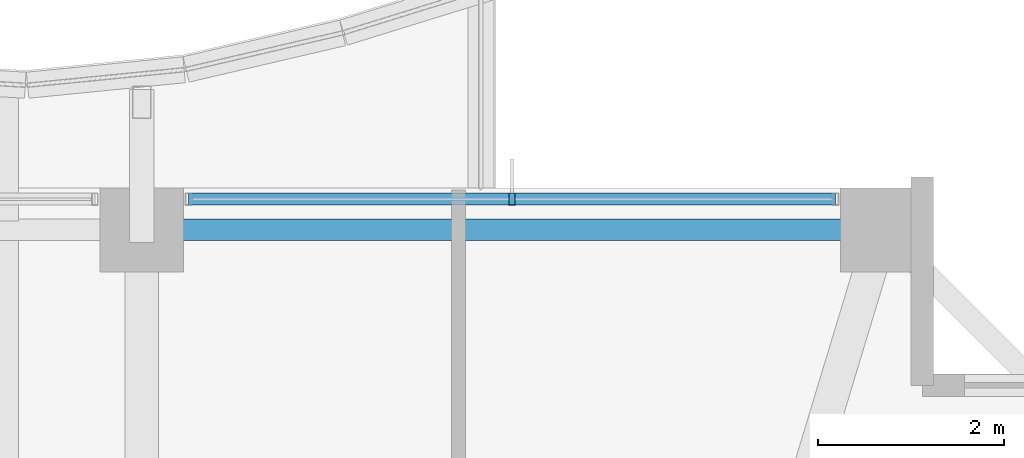
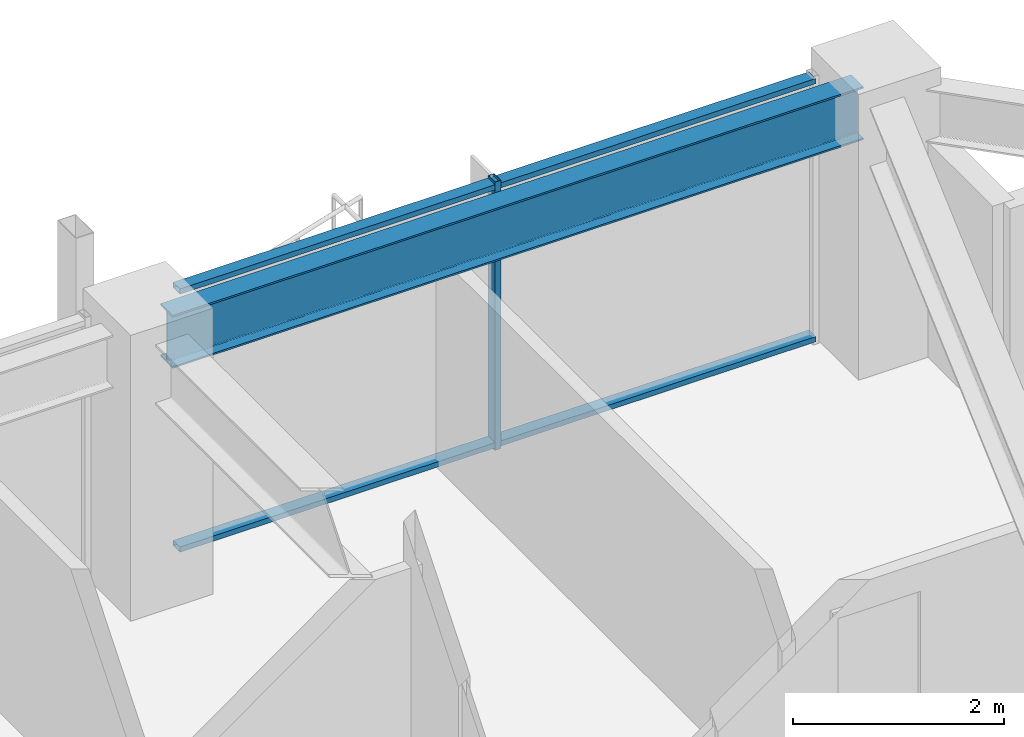
# One storey, part 19 of 32: 3 members, 1 beam, 1 element without a shape of its own.
"""IFC4 building model written with IfcOpenShell, lengths in metres."""

import ifcopenshell
import ifcopenshell.guid

model = None  # the IFC model being written
_history = None  # IfcOwnerHistory: only IFC2X3 demands one
_inside = {}  # id of a spatial element -> (the spatial element, [elements in it])
_under = {}  # id of a project, library or spatial element -> (it, [spatial elements below it])
_declared = {}  # id of a project -> (the project, [libraries it declares])
_typed = {}  # id of a type object -> (the type object, [elements of that type])
_made_of = {}  # id of a material, layer set ... -> (it, [elements and type objects made of it])


def new_model(schema):
    """Start an empty IFC model of exactly this schema.

    Asked for "IFC4X3", IfcOpenShell would pick the latest addendum, in which some entities
    have other attributes; the version numbers below select the first issue.
    IFC2X3 requires an IfcOwnerHistory on every rooted entity: one is made here for all.
    """
    global model, _history
    if schema == "IFC4X3":
        model = ifcopenshell.file(schema_version=(4, 3, 0, 0))
    else:
        model = ifcopenshell.file(schema=schema)
    _inside.clear()
    _under.clear()
    _declared.clear()
    _typed.clear()
    _made_of.clear()
    _history = None
    if model.schema == "IFC2X3":
        org = make("IfcOrganization", Name="unknown")
        user = make(
            "IfcPersonAndOrganization",
            ThePerson=make("IfcPerson", FamilyName="unknown"),
            TheOrganization=org,
        )
        app = make(
            "IfcApplication",
            ApplicationDeveloper=org,
            Version="unknown",
            ApplicationFullName="unknown",
            ApplicationIdentifier="unknown",
        )
        _history = make(
            "IfcOwnerHistory",
            OwningUser=user,
            OwningApplication=app,
            ChangeAction="ADDED",
            CreationDate=0,
        )
    return model


def make(cls, **values):
    """One entity of the class cls with the attributes given. An attribute that is None is left unset."""
    return model.create_entity(
        cls, **{name: value for name, value in values.items() if value is not None}
    )


def rooted(cls, **values):
    """An entity with a GlobalId (a new one), such as an element, a storey or a relation."""
    return make(cls, GlobalId=ifcopenshell.guid.new(), OwnerHistory=_history, **values)


def si_unit(unit_type, name, prefix=None):
    """IfcSIUnit, for example si_unit("LENGTHUNIT", "METRE", prefix="MILLI")."""
    return make("IfcSIUnit", UnitType=unit_type, Prefix=prefix, Name=name)


def assignment(units):
    """IfcUnitAssignment: the units of a project."""
    return None if units is None else make("IfcUnitAssignment", Units=units)


def point(xyz):
    """IfcCartesianPoint."""
    return None if xyz is None else make("IfcCartesianPoint", Coordinates=xyz)


def direction(xyz):
    """IfcDirection."""
    return None if xyz is None else make("IfcDirection", DirectionRatios=xyz)


def frame(location, z_axis=None, x_axis=None):
    """IfcAxis2Placement3D, a coordinate frame: its origin and axes. An axis left out is left unset."""
    return make(
        "IfcAxis2Placement3D",
        Location=point(location),
        Axis=direction(z_axis),
        RefDirection=direction(x_axis),
    )


def frame_2d(location, x_axis=None):
    """IfcAxis2Placement2D, a coordinate frame in the plane: its origin and x axis."""
    return make(
        "IfcAxis2Placement2D", Location=point(location), RefDirection=direction(x_axis)
    )


def origin():
    """The frame at (0, 0, 0) with its axes left unset."""
    return frame((0.0, 0.0, 0.0))


def origin_2d():
    """The frame at (0, 0) in the plane with its x axis left unset."""
    return frame_2d((0.0, 0.0))


def place(relative_to, where):
    """IfcLocalPlacement: puts the frame where relative to a parent placement (None: the world)."""
    return make(
        "IfcLocalPlacement", PlacementRelTo=relative_to, RelativePlacement=where
    )


def context(
    kind, dimensions, precision=None, world=None, true_north=None, identifier=None
):
    """IfcGeometricRepresentationContext, for example the 3D "Model" context."""
    return make(
        "IfcGeometricRepresentationContext",
        ContextIdentifier=identifier,
        ContextType=kind,
        CoordinateSpaceDimension=dimensions,
        Precision=precision,
        WorldCoordinateSystem=world,
        TrueNorth=true_north,
    )


def subcontext(parent, identifier, kind, view, scale=None):
    """IfcGeometricRepresentationSubContext, for example "Body" below "Model"."""
    return make(
        "IfcGeometricRepresentationSubContext",
        ContextIdentifier=identifier,
        ContextType=kind,
        ParentContext=parent,
        TargetScale=scale,
        TargetView=view,
    )


def project(units=None, contexts=None):
    """IfcProject with its units and contexts."""
    return rooted(
        "IfcProject",
        Name="project",
        RepresentationContexts=contexts,
        UnitsInContext=assignment(units),
    )


def spatial(cls, under=None, at=None, **own):
    """A site, building, storey or space (cls), placed at a placement, below another one or the project."""
    s = rooted(cls, ObjectPlacement=at, **own)
    if under is not None:
        _under.setdefault(under.id(), (under, []))[1].append(s)
    return s


def profile(cls, at=None, kind="AREA", **sizes):
    """A parametric profile (cls). Its sizes go by their IFC names, for example OverallWidth=200.0."""
    return make(cls, ProfileType=kind, Position=at, **sizes)


def hollow_rectangle(**sizes):
    """IfcRectangleHollowProfileDef."""
    return profile("IfcRectangleHollowProfileDef", **sizes)


def i_section(**sizes):
    """IfcIShapeProfileDef."""
    return profile("IfcIShapeProfileDef", **sizes)


def extrude(swept, where, along, depth):
    """IfcExtrudedAreaSolid: the profile swept, set in the frame where, extruded along a direction by depth."""
    return make(
        "IfcExtrudedAreaSolid",
        SweptArea=swept,
        Position=where,
        ExtrudedDirection=direction(along),
        Depth=depth,
    )


def shape(context_of_items, identifier, shape_type, items):
    """IfcShapeRepresentation: the items that make up one representation, for example the "Body"."""
    return make(
        "IfcShapeRepresentation",
        ContextOfItems=context_of_items,
        RepresentationIdentifier=identifier,
        RepresentationType=shape_type,
        Items=items,
    )


def material(Name=None, Category=None):
    """IfcMaterial."""
    return make("IfcMaterial", Name=Name, Category=Category)


def material_profile(
    of_material, cross_section, Name=None, Category=None, Priority=None
):
    """IfcMaterialProfile: a cross section and its material."""
    return make(
        "IfcMaterialProfile",
        Name=Name,
        Material=of_material,
        Profile=cross_section,
        Priority=Priority,
        Category=Category,
    )


def profile_set(profiles, Name=None, composite=None):
    """IfcMaterialProfileSet."""
    return make(
        "IfcMaterialProfileSet",
        Name=Name,
        MaterialProfiles=profiles,
        CompositeProfile=composite,
    )


def made_of(thing, what):
    """Note that an element or type object is made of a material, layer set ...; save() writes the relation."""
    if what is not None:
        _made_of.setdefault(what.id(), (what, []))[1].append(thing)
    return thing


def type_object(cls, material=None, **own):
    """A type object (cls), such as IfcWallType, which elements share."""
    return made_of(rooted(cls, **own), material)


def element(
    cls,
    number,
    at=None,
    inside=None,
    cuts=None,
    type_object=None,
    material=None,
    context=None,
    identifier="Body",
    shape_type=None,
    held_by="IfcProductDefinitionShape",
    body=None,
    shapes=None,
    **own,
):
    """One element of the class cls, such as IfcWall. Its Tag is "e" and its number.

    at: its placement. inside: the storey or other place that contains it. cuts: it is an
    opening in that element (IfcRelVoidsElement). A single representation is given by context,
    identifier, shape_type and body (its items); several are given by shapes. held_by: the class
    of the entity that holds the representations. save() writes the other relations.
    """
    e = rooted(cls, Tag="e%d" % number, ObjectPlacement=at, **own)
    if body is not None:
        shapes = [shape(context, identifier, shape_type, body)]
    if shapes is not None:
        e.Representation = make(held_by, Representations=shapes)
    if inside is not None:
        _inside.setdefault(inside.id(), (inside, []))[1].append(e)
    if cuts is not None:
        rooted(
            "IfcRelVoidsElement", RelatingBuildingElement=cuts, RelatedOpeningElement=e
        )
    if type_object is not None:
        _typed.setdefault(type_object.id(), (type_object, []))[1].append(e)
    return made_of(e, material)


def aggregate(whole, parts):
    """IfcRelAggregates: a whole, such as a stair, and the parts it consists of."""
    return rooted("IfcRelAggregates", RelatingObject=whole, RelatedObjects=parts)


def save(model, path):
    """Write the relations noted so far, then the file.

    IfcRelAggregates (storeys below a building ...), IfcRelContainedInSpatialStructure (elements
    in a storey), IfcRelDefinesByType, IfcRelAssociatesMaterial and IfcRelDeclares: one each for
    every whole, place, type object, material and project.
    """
    for whole, parts in _under.values():
        aggregate(whole, parts)
    for where, things in _inside.values():
        rooted(
            "IfcRelContainedInSpatialStructure",
            RelatedElements=things,
            RelatingStructure=where,
        )
    for kind, things in _typed.values():
        rooted("IfcRelDefinesByType", RelatedObjects=things, RelatingType=kind)
    for what, things in _made_of.values():
        rooted("IfcRelAssociatesMaterial", RelatedObjects=things, RelatingMaterial=what)
    for by, libraries in _declared.values():
        rooted("IfcRelDeclares", RelatingContext=by, RelatedDefinitions=libraries)
    model.write(path)


model = new_model("IFC4")

# Units and contexts
model_context = context("Model", 3, precision=1e-05, world=origin(), true_north=direction((0.0, 1.0)))
body_context = subcontext(model_context, "Body", "Model", "MODEL_VIEW")
ifc_project = project(units=[si_unit("LENGTHUNIT", "METRE"), si_unit("AREAUNIT", "SQUARE_METRE"), si_unit("VOLUMEUNIT", "CUBIC_METRE"), si_unit("PLANEANGLEUNIT", "RADIAN"), si_unit("MASSUNIT", "GRAM", prefix="KILO")], contexts=[model_context])

# Site, building, storey
site_placement = place(None, origin())
site = spatial("IfcSite", under=ifc_project, at=site_placement, CompositionType="ELEMENT")
building_placement = place(site_placement, origin())
building = spatial("IfcBuilding", under=site, at=building_placement, Name="Kolvaren Belvedere", CompositionType="ELEMENT")
storey_placement = place(building_placement, frame((0.0, 0.0, 160.199951171875)))
storey = spatial("IfcBuildingStorey", under=building, at=storey_placement, Name="L46", CompositionType="ELEMENT", Elevation=160.199951171875)

# Beam
ifc_material_1 = material(Name="Structural steel ASTM A992 Grade 50", Category="steel")
ifc_material_profile_1 = material_profile(ifc_material_1, i_section(OverallWidth=0.22900390625, OverallDepth=0.612060546875, WebThickness=0.011962890625, FlangeThickness=0.01953125, FilletRadius=0.01806640625, at=origin_2d()), Name="W24X84")
ifc_profile_set_1 = profile_set([ifc_material_profile_1], Name="Structural steel ASTM A992 Grade 50")
beam_type = type_object("IfcBeamType", Name="BM-SPAN-W24X84", PredefinedType="SPANDREL", material=ifc_profile_set_1)
beam_placement = place(storey_placement, frame((12.347412109375, 18.64990234375, 2.7939453125), z_axis=(-1.0, 0.0, 0.0), x_axis=(0.0, -1.0, 0.0)))
element("IfcBeam", 1, at=beam_placement, inside=storey, type_object=beam_type, Name="L46 Perimeter Spandrel N4-N3", PredefinedType="SPANDREL", context=body_context, shape_type="SweptSolid", body=[
    extrude(i_section(OverallWidth=0.22900390625, OverallDepth=0.612060546875, WebThickness=0.011962890625, FlangeThickness=0.01953125, FilletRadius=0.01806640625, at=origin_2d()), origin(), (0.0, 0.0, 1.0), 7.544921875),
])

# Curtain wall, members
ifc_material_2 = material(Name="Anodised pale-metal aluminium AA 6063-T6", Category="aluminium")
curtain_wall_type = type_object("IfcCurtainWallType", Name="CW-Z3-WAIST", PredefinedType="NOTDEFINED", material=ifc_material_2)
curtain_wall_placement = place(storey_placement, origin())
curtain_wall = element("IfcCurtainWall", 2, at=curtain_wall_placement, inside=storey, type_object=curtain_wall_type, Name="L46 Unitised Curtain Wall FCW-L46-N2-B2", PredefinedType="NOTDEFINED")
ifc_material_3 = material(Name="Anodised pale-metal aluminium AA 6063-T6", Category="aluminium")
ifc_material_profile_2 = material_profile(ifc_material_3, hollow_rectangle(XDim=0.06494140625, YDim=0.1298828125, WallThickness=0.00390625, at=origin_2d()), Name="ALU-MUL-130X65")
ifc_profile_set_2 = profile_set([ifc_material_profile_2], Name="Anodised pale-metal aluminium AA 6063-T6")
member_type_1 = type_object("IfcMemberType", Name="CW-MUL-130", PredefinedType="MULLION", material=ifc_profile_set_2)
member_1_placement = place(storey_placement, frame((8.574951171875, 18.97998046875, 0.0), z_axis=(0.0, 0.0, 1.0), x_axis=(1.0, 0.0, 0.0)))
member_1 = element("IfcMember", 3, at=member_1_placement, type_object=member_type_1, Name="FCW-L46-N2-B2 Unitised Mullion 2", PredefinedType="MULLION", context=body_context, shape_type="SweptSolid", body=[
    extrude(hollow_rectangle(XDim=0.06494140625, YDim=0.1298828125, WallThickness=0.00390625, at=origin_2d()), origin(), (0.0, 0.0, 1.0), 3.10009765625),
])
ifc_material_4 = material(Name="Anodised pale-metal aluminium AA 6063-T6", Category="aluminium")
ifc_material_profile_3 = material_profile(ifc_material_4, hollow_rectangle(XDim=0.06005859375, YDim=0.1298828125, WallThickness=0.00390625, at=origin_2d()), Name="ALU-TRN-130X60")
ifc_profile_set_3 = profile_set([ifc_material_profile_3], Name="Anodised pale-metal aluminium AA 6063-T6")
member_type_2 = type_object("IfcMemberType", Name="CW-TRN-130", PredefinedType="USERDEFINED", material=ifc_profile_set_3)
member_2_placement = place(storey_placement, frame((5.1025390625, 18.97998046875, 0.06005859375), z_axis=(1.0, 0.0, 0.0), x_axis=(0.0, 0.0, 1.0)))
member_2 = element("IfcMember", 4, at=member_2_placement, type_object=member_type_2, Name="FCW-L46-N2-B2 Sill Transom", ObjectType="TRANSOM", PredefinedType="USERDEFINED", context=body_context, shape_type="SweptSolid", body=[
    extrude(hollow_rectangle(XDim=0.06005859375, YDim=0.1298828125, WallThickness=0.00390625, at=origin_2d()), origin(), (0.0, 0.0, 1.0), 6.945068359375),
])
member_3_placement = place(storey_placement, frame((5.1025390625, 18.97998046875, 3.0400390625), z_axis=(1.0, 0.0, 0.0), x_axis=(0.0, 0.0, 1.0)))
member_3 = element("IfcMember", 5, at=member_3_placement, type_object=member_type_2, Name="FCW-L46-N2-B2 Head Transom", ObjectType="TRANSOM", PredefinedType="USERDEFINED", context=body_context, shape_type="SweptSolid", body=[
    extrude(hollow_rectangle(XDim=0.06005859375, YDim=0.1298828125, WallThickness=0.00390625, at=origin_2d()), origin(), (0.0, 0.0, 1.0), 6.945068359375),
])
aggregate(curtain_wall, [member_1, member_2, member_3])

save(model, "model.ifc")
